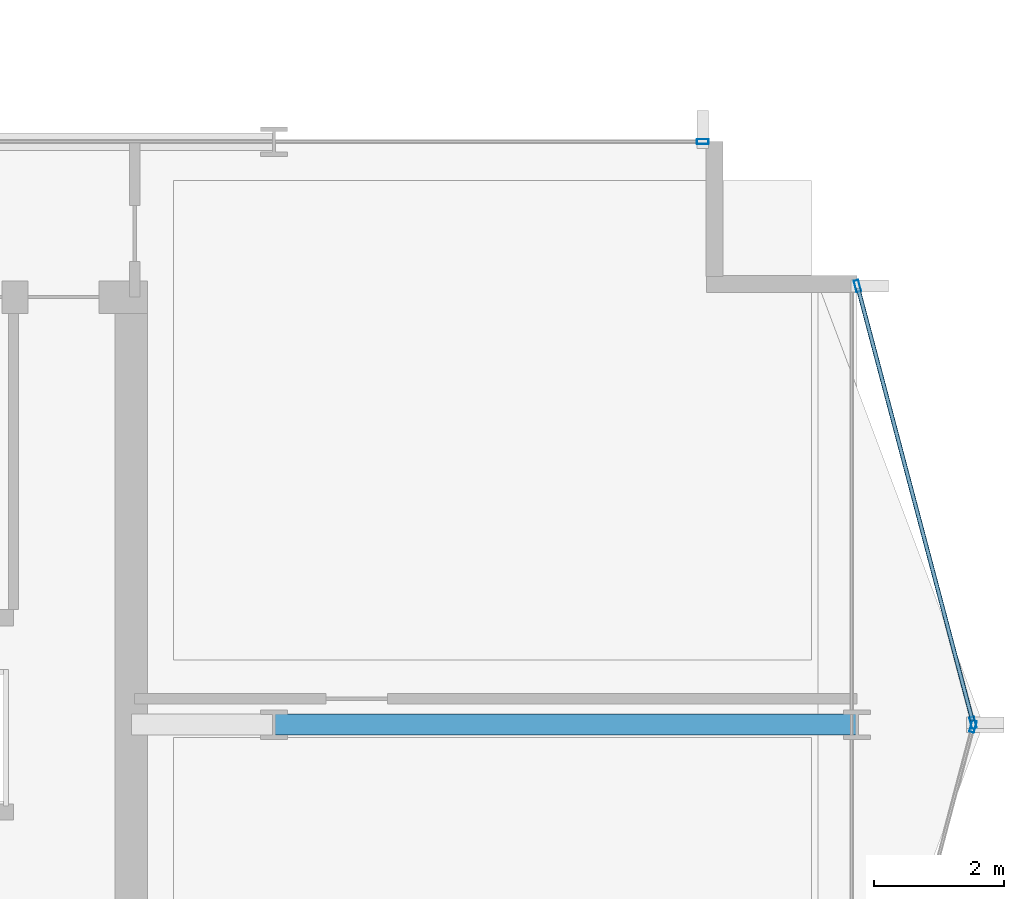
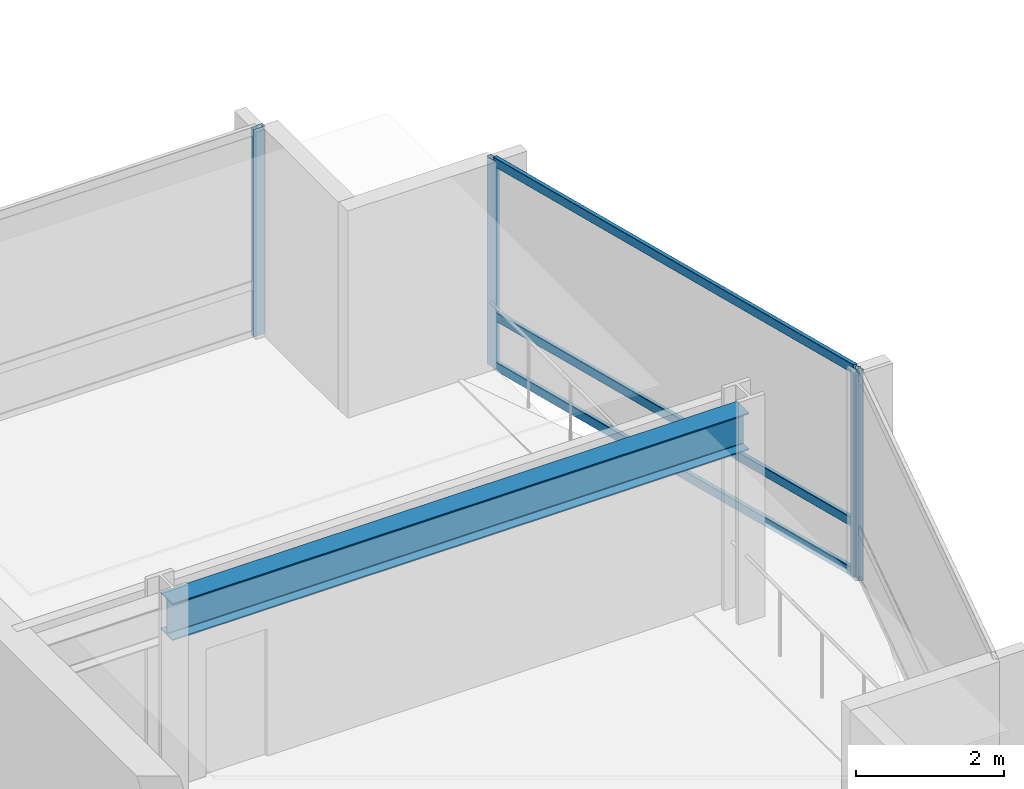
# One storey, part 14 of 28: 7 members, 1 beam, 3 elements without a shape of their own.
"""IFC4 building model written with IfcOpenShell, lengths in metres."""

from ifc_helpers import new_model, si_unit, direction, frame, origin, origin_2d, place, context, subcontext, project, spatial, hollow_rectangle, i_section, extrude, material, layer, layer_set, material_profile, profile_set, type_object, element, aggregate, save


model = new_model("IFC4")

# Units and contexts
model_context = context("Model", 3, precision=1e-05, world=origin(), true_north=direction((0.0, 1.0)))
body_context = subcontext(model_context, "Body", "Model", "MODEL_VIEW")
ifc_project = project(units=[si_unit("LENGTHUNIT", "METRE"), si_unit("AREAUNIT", "SQUARE_METRE"), si_unit("VOLUMEUNIT", "CUBIC_METRE"), si_unit("PLANEANGLEUNIT", "RADIAN"), si_unit("MASSUNIT", "GRAM", prefix="KILO")], contexts=[model_context])

# Site, building, storey
site_placement = place(None, origin())
site = spatial("IfcSite", under=ifc_project, at=site_placement, CompositionType="ELEMENT")
building_placement = place(site_placement, origin())
building = spatial("IfcBuilding", under=site, at=building_placement, Name="Solvaryn Broadcast Tower", CompositionType="ELEMENT")
storey_placement = place(building_placement, frame((0.0, 0.0, 132.199951171875)))
storey = spatial("IfcBuildingStorey", under=building, at=storey_placement, Name="L32", CompositionType="ELEMENT", Elevation=132.199951171875)

# Beam
ifc_material_1 = material(Name="Steel ASTM A992 Grade 50", Category="steel")
ifc_material_profile_1 = material_profile(ifc_material_1, i_section(OverallWidth=0.323974609375, OverallDepth=0.611083984375, WebThickness=0.0126953125, FlangeThickness=0.01904296875, FilletRadius=0.014892578125, at=origin_2d()))
ifc_profile_set_1 = profile_set([ifc_material_profile_1], Name="Steel ASTM A992 Grade 50")
beam_type = type_object("IfcBeamType", Name="BM-B1-W24X104", PredefinedType="BEAM", material=ifc_profile_set_1)
beam_placement = place(storey_placement, frame((45.0, 18.0, 3.114501953125), z_axis=(1.0, 0.0, 0.0), x_axis=(0.0, 1.0, 0.0)))
element("IfcBeam", 1, at=beam_placement, inside=storey, type_object=beam_type, Name="L32 Primary Beam X (45-54 @ Y=18)", PredefinedType="BEAM", context=body_context, shape_type="SweptSolid", body=[
    extrude(i_section(OverallWidth=0.323974609375, OverallDepth=0.611083984375, WebThickness=0.0126953125, FlangeThickness=0.01904296875, FilletRadius=0.014892578125, at=origin_2d()), origin(), (0.0, 0.0, 1.0), 9.0),
])

# Curtain wall, members
ifc_material_2 = material(Name="Aluminium and Terracotta Unitised Curtain Wall", Category="masonry")
ifc_layer = layer(ifc_material_2, 0.199951171875)
ifc_layer_set = layer_set([ifc_layer], Name="CW-SYS2-LOWMID")
curtain_wall_type = type_object("IfcCurtainWallType", Name="CW-SYS2-LOWMID", PredefinedType="NOTDEFINED", material=ifc_layer_set)
curtain_wall_1_placement = place(storey_placement, origin())
curtain_wall_1 = element("IfcCurtainWall", 2, at=curtain_wall_1_placement, inside=storey, type_object=curtain_wall_type, Name="L32 Curtain Wall ET1", PredefinedType="NOTDEFINED")
ifc_material_3 = material(Name="Anodised Aluminium 6063-T6", Category="aluminium")
ifc_material_profile_2 = material_profile(ifc_material_3, hollow_rectangle(XDim=0.074951171875, YDim=0.179931640625, WallThickness=0.00390625, InnerFilletRadius=0.00390625, OuterFilletRadius=0.008056640625, at=origin_2d()))
ifc_profile_set_2 = profile_set([ifc_material_profile_2], Name="Anodised Aluminium 6063-T6")
member_type_1 = type_object("IfcMemberType", Name="CW-MUL-180", PredefinedType="MULLION", material=ifc_profile_set_2)
member_1_placement = place(storey_placement, frame((54.007568359375, 24.77099609375, 0.0), z_axis=(0.0, 0.0, 1.0), x_axis=(0.966705227863, 0.25589256031, 0.0)))
member_1 = element("IfcMember", 3, at=member_1_placement, type_object=member_type_1, Name="CWS2 mullion 1", PredefinedType="MULLION", context=body_context, shape_type="SweptSolid", body=[
    extrude(hollow_rectangle(XDim=0.074951171875, YDim=0.179931640625, WallThickness=0.00390625, InnerFilletRadius=0.00390625, OuterFilletRadius=0.008056640625, at=origin_2d()), origin(), (0.0, 0.0, 1.0), 3.420166015625),
])
member_2_placement = place(storey_placement, frame((55.792236328125, 18.029052734375, 0.0), z_axis=(0.0, 0.0, 1.0), x_axis=(0.966705227863, 0.25589256031, 0.0)))
member_2 = element("IfcMember", 4, at=member_2_placement, type_object=member_type_1, Name="CWS2 mullion 2", PredefinedType="MULLION", context=body_context, shape_type="SweptSolid", body=[
    extrude(hollow_rectangle(XDim=0.074951171875, YDim=0.179931640625, WallThickness=0.00390625, InnerFilletRadius=0.00390625, OuterFilletRadius=0.008056640625, at=origin_2d()), origin(), (0.0, 0.0, 1.0), 3.420166015625),
])

# Curtain wall, member
curtain_wall_2_placement = place(storey_placement, origin())
curtain_wall_2 = element("IfcCurtainWall", 5, at=curtain_wall_2_placement, inside=storey, type_object=curtain_wall_type, Name="L32 Curtain Wall ET2", PredefinedType="NOTDEFINED")
member_3_placement = place(storey_placement, frame((55.792236328125, 17.970947265625, 0.0), z_axis=(0.0, 0.0, 1.0), x_axis=(0.966705227863, -0.25589256031, 0.0)))
member_3 = element("IfcMember", 6, at=member_3_placement, type_object=member_type_1, Name="CWS2 mullion 1", PredefinedType="MULLION", context=body_context, shape_type="SweptSolid", body=[
    extrude(hollow_rectangle(XDim=0.074951171875, YDim=0.179931640625, WallThickness=0.00390625, InnerFilletRadius=0.00390625, OuterFilletRadius=0.008056640625, at=origin_2d()), origin(), (0.0, 0.0, 1.0), 3.420166015625),
])
aggregate(curtain_wall_2, [member_3])

curtain_wall_3_placement = place(storey_placement, origin())
curtain_wall_3 = element("IfcCurtainWall", 7, at=curtain_wall_3_placement, inside=storey, type_object=curtain_wall_type, Name="L32 Curtain Wall IH", PredefinedType="NOTDEFINED")
member_4_placement = place(storey_placement, frame((51.6201171875, 27.0, 0.0), z_axis=(0.0, 0.0, 1.0), x_axis=(0.0, 1.0, 0.0)))
member_4 = element("IfcMember", 8, at=member_4_placement, type_object=member_type_1, Name="CWS2 mullion 2", PredefinedType="MULLION", context=body_context, shape_type="SweptSolid", body=[
    extrude(hollow_rectangle(XDim=0.074951171875, YDim=0.179931640625, WallThickness=0.00390625, InnerFilletRadius=0.00390625, OuterFilletRadius=0.008056640625, at=origin_2d()), origin(), (0.0, 0.0, 1.0), 3.420166015625),
])
aggregate(curtain_wall_3, [member_4])

# Member
ifc_material_4 = material(Name="Anodised Aluminium 6063-T6", Category="aluminium")
ifc_material_profile_3 = material_profile(ifc_material_4, hollow_rectangle(XDim=0.06494140625, YDim=0.14990234375, WallThickness=0.00390625, InnerFilletRadius=0.00390625, OuterFilletRadius=0.008056640625, at=origin_2d()))
ifc_profile_set_3 = profile_set([ifc_material_profile_3], Name="Anodised Aluminium 6063-T6")
member_type_2 = type_object("IfcMemberType", Name="CW-TRN-150", PredefinedType="USERDEFINED", material=ifc_profile_set_3)
member_5_placement = place(storey_placement, frame((54.015380859375, 24.741943359375, 0.030029296875), z_axis=(0.255897413051, -0.966703943301, 0.0), x_axis=(0.966703943301, 0.255897413051, 0.0)))
member_5 = element("IfcMember", 9, at=member_5_placement, type_object=member_type_2, Name="CWS2 transom 1.1", ObjectType="TRANSOM", PredefinedType="USERDEFINED", context=body_context, shape_type="SweptSolid", body=[
    extrude(hollow_rectangle(XDim=0.06494140625, YDim=0.14990234375, WallThickness=0.00390625, InnerFilletRadius=0.00390625, OuterFilletRadius=0.008056640625, at=origin_2d()), origin(), (0.0, 0.0, 1.0), 6.9140625),
])

member_6_placement = place(storey_placement, frame((54.015380859375, 24.741943359375, 0.85009765625), z_axis=(0.255897413051, -0.966703943301, 0.0), x_axis=(0.966703943301, 0.255897413051, 0.0)))
member_6 = element("IfcMember", 10, at=member_6_placement, type_object=member_type_2, Name="CWS2 transom 1.2", ObjectType="TRANSOM", PredefinedType="USERDEFINED", context=body_context, shape_type="SweptSolid", body=[
    extrude(hollow_rectangle(XDim=0.06494140625, YDim=0.14990234375, WallThickness=0.00390625, InnerFilletRadius=0.00390625, OuterFilletRadius=0.008056640625, at=origin_2d()), origin(), (0.0, 0.0, 1.0), 6.9140625),
])

member_7_placement = place(storey_placement, frame((54.015380859375, 24.741943359375, 3.39013671875), z_axis=(0.255897413051, -0.966703943301, 0.0), x_axis=(0.966703943301, 0.255897413051, 0.0)))
member_7 = element("IfcMember", 11, at=member_7_placement, type_object=member_type_2, Name="CWS2 transom 1.3", ObjectType="TRANSOM", PredefinedType="USERDEFINED", context=body_context, shape_type="SweptSolid", body=[
    extrude(hollow_rectangle(XDim=0.06494140625, YDim=0.14990234375, WallThickness=0.00390625, InnerFilletRadius=0.00390625, OuterFilletRadius=0.008056640625, at=origin_2d()), origin(), (0.0, 0.0, 1.0), 6.9140625),
])

aggregate(curtain_wall_1, [member_1, member_2, member_5, member_6, member_7])

save(model, "model.ifc")
